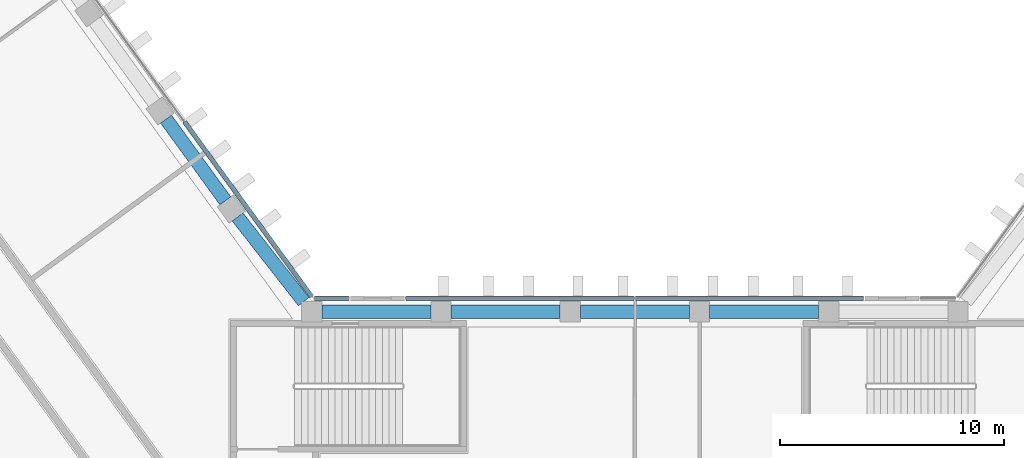
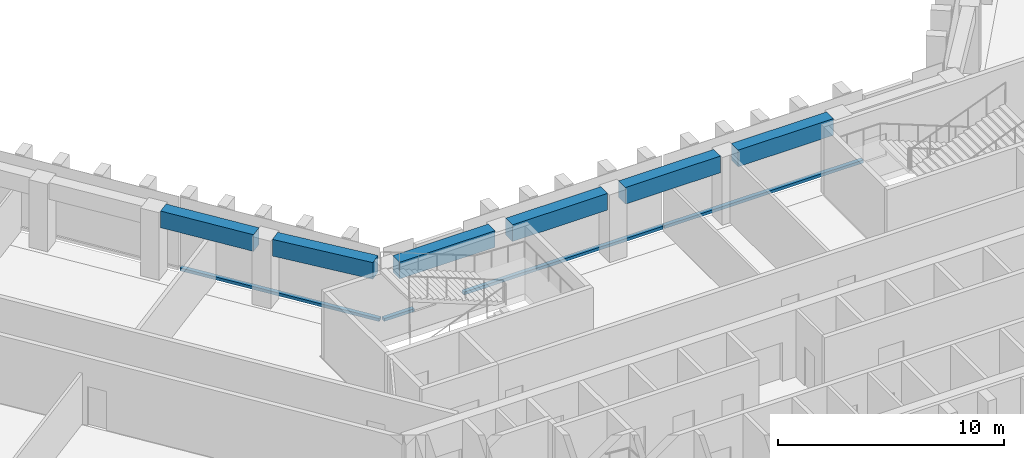
"""IFC4 building model written with IfcOpenShell, lengths in metres."""

from ifc_helpers import new_model, si_unit, direction, frame, origin, origin_2d, place, context, subcontext, project, spatial, rectangle, extrude, material, material_profile, profile_set, type_object, element, aggregate, save


model = new_model("IFC4")

# Units and contexts
model_context = context("Model", 3, precision=1e-05, world=origin(), true_north=direction((0.0, 1.0)))
body_context = subcontext(model_context, "Body", "Model", "MODEL_VIEW")
ifc_project = project(units=[si_unit("LENGTHUNIT", "METRE"), si_unit("AREAUNIT", "SQUARE_METRE"), si_unit("VOLUMEUNIT", "CUBIC_METRE"), si_unit("PLANEANGLEUNIT", "RADIAN"), si_unit("MASSUNIT", "GRAM", prefix="KILO")], contexts=[model_context])

# Site, building, storey
site_placement = place(None, origin())
site = spatial("IfcSite", under=ifc_project, at=site_placement, CompositionType="ELEMENT")
building_placement = place(site_placement, origin())
building = spatial("IfcBuilding", under=site, at=building_placement, Name="Quipu Civic Tower", CompositionType="ELEMENT")
storey_1_placement = place(building_placement, frame((0.0, 0.0, 31.0)))
storey_1 = spatial("IfcBuildingStorey", under=building, at=storey_1_placement, Name="L06", CompositionType="ELEMENT", Elevation=31.0)

# Beams
ifc_material_1 = material(Name="Concrete C50/60", Category="concrete")
ifc_material_profile_1 = material_profile(ifc_material_1, rectangle(XDim=0.60009765625, YDim=0.89990234375, at=origin_2d()), Name="RC600x900")
ifc_profile_set_1 = profile_set([ifc_material_profile_1], Name="Concrete C50/60")
beam_type = type_object("IfcBeamType", Name="Spandrel beam RC 600x900 C50/60", PredefinedType="SPANDREL", material=ifc_profile_set_1)
beam_1_placement = place(storey_1_placement, frame((-18.238037109375, 15.43896484375, 3.199951171875), z_axis=(-0.587716763865, 0.809066749701, 0.0), x_axis=(-0.809066749701, -0.587716763865, 0.0)))
element("IfcBeam", 1, at=beam_1_placement, inside=storey_1, type_object=beam_type, Name="Spandrel beam L06 W-IN-01 to W-IN-02", PredefinedType="SPANDREL", context=body_context, shape_type="SweptSolid", body=[
    extrude(rectangle(XDim=0.60009765625, YDim=0.89990234375, at=origin_2d()), origin(), (0.0, 0.0, 1.0), 4.5),
])
for number, where, z_axis, x_axis, name in (
    (2, (8.18701171875, 10.5, 3.199951171875), (-1.0, 0.0, 0.0), (0.0, -1.0, 0.0), "Spandrel beam L06 FRONT-01 to FRONT-02"),
    (3, (2.428955078125, 10.5, 3.199951171875), (-1.0, 0.0, 0.0), (0.0, -1.0, 0.0), "Spandrel beam L06 FRONT-02 to FRONT-03"),
    (4, (-3.3291015625, 10.5, 3.199951171875), (-1.0, 0.0, 0.0), (0.0, -1.0, 0.0), "Spandrel beam L06 FRONT-03 to FRONT-04"),
):
    element("IfcBeam", number, at=place(storey_1_placement, frame(where, z_axis=z_axis, x_axis=x_axis)), inside=storey_1, type_object=beam_type, Name=name, PredefinedType="SPANDREL", context=body_context, shape_type="SweptSolid", body=[
        extrude(rectangle(XDim=0.60009765625, YDim=0.89990234375, at=origin_2d()), origin(), (0.0, 0.0, 1.0), 4.85791015625),
    ])
beam_2_placement = place(storey_1_placement, frame((-9.087158203125, 10.5, 3.199951171875), z_axis=(-1.0, 0.0, 0.0), x_axis=(0.0, -1.0, 0.0)))
element("IfcBeam", 5, at=beam_2_placement, inside=storey_1, type_object=beam_type, Name="Spandrel beam L06 FRONT-04 to J-Wi.0", PredefinedType="SPANDREL", context=body_context, shape_type="SweptSolid", body=[
    extrude(rectangle(XDim=0.60009765625, YDim=0.89990234375, at=origin_2d()), origin(), (0.0, 0.0, 1.0), 4.858154296875),
])
beam_3_placement = place(storey_1_placement, frame((-14.7470703125, 10.949951171875, 3.199951171875), z_axis=(-0.616123961998, 0.787649200756, 0.0), x_axis=(-0.787649200756, -0.616123961998, 0.0)))
element("IfcBeam", 6, at=beam_3_placement, inside=storey_1, type_object=beam_type, Name="Spandrel beam L06 J-Wi.0 to W-IN-01", PredefinedType="SPANDREL", context=body_context, shape_type="SweptSolid", body=[
    extrude(rectangle(XDim=0.60009765625, YDim=0.89990234375, at=origin_2d()), origin(), (0.0, 0.0, 1.0), 4.78662109375),
])

# Storey
storey_2_placement = place(building_placement, frame((0.0, 0.0, 35.0)))
storey_2 = spatial("IfcBuildingStorey", under=building, at=storey_2_placement, Name="L07", CompositionType="ELEMENT", Elevation=35.0)

# Curtain wall, members
ifc_material_2 = material(Name="Insulated glass unit", Category="glass")
curtain_wall_type = type_object("IfcCurtainWallType", Name="Office curtain wall CW1", PredefinedType="NOTDEFINED", material=ifc_material_2)
curtain_wall_1_placement = place(storey_2_placement, origin())
curtain_wall_1 = element("IfcCurtainWall", 7, at=curtain_wall_1_placement, inside=storey_2, type_object=curtain_wall_type, Name="Office curtain wall CW1 L06 run 29", PredefinedType="NOTDEFINED")
ifc_material_3 = material(Name="Anodised aluminium", Category="aluminium")
ifc_material_profile_2 = material_profile(ifc_material_3, rectangle(XDim=0.199951171875, YDim=0.159912109375, at=origin_2d()), Name="RECT 200x160")
ifc_profile_set_2 = profile_set([ifc_material_profile_2], Name="Anodised aluminium")
member_type = type_object("IfcMemberType", Name="Transom CW1", PredefinedType="USERDEFINED", material=ifc_profile_set_2)
member_1_placement = place(storey_1_placement, frame((10.18359375, 11.10009765625, 0.159912109375), z_axis=(-1.0, 0.0, 0.0), x_axis=(0.0, -1.0, 0.0)))
member_1 = element("IfcMember", 8, at=member_1_placement, inside=storey_1, type_object=member_type, Name="CW1 transom 1.1", ObjectType="TRANSOM", PredefinedType="USERDEFINED", context=body_context, shape_type="SweptSolid", body=[
    extrude(rectangle(XDim=0.199951171875, YDim=0.159912109375, at=origin_2d()), origin(), (0.0, 0.0, 1.0), 10.1435546875),
])
member_2_placement = place(storey_1_placement, frame((-0.0400390625, 11.10009765625, 0.159912109375), z_axis=(-1.0, 0.0, 0.0), x_axis=(0.0, -1.0, 0.0)))
member_2 = element("IfcMember", 9, at=member_2_placement, inside=storey_1, type_object=member_type, Name="CW1 transom 2.1", ObjectType="TRANSOM", PredefinedType="USERDEFINED", context=body_context, shape_type="SweptSolid", body=[
    extrude(rectangle(XDim=0.199951171875, YDim=0.159912109375, at=origin_2d()), origin(), (0.0, 0.0, 1.0), 10.1435546875),
])
aggregate(curtain_wall_1, [member_1, member_2])

# Curtain wall, member
curtain_wall_2_placement = place(storey_2_placement, origin())
curtain_wall_2 = element("IfcCurtainWall", 10, at=curtain_wall_2_placement, inside=storey_2, type_object=curtain_wall_type, Name="Office curtain wall CW1 L06 run 31", PredefinedType="NOTDEFINED")
member_3_placement = place(storey_1_placement, frame((-12.735107421875, 11.10009765625, 0.159912109375), z_axis=(-1.0, 0.0, 0.0), x_axis=(0.0, -1.0, 0.0)))
member_3 = element("IfcMember", 11, at=member_3_placement, inside=storey_1, type_object=member_type, Name="CW1 transom 1.1", ObjectType="TRANSOM", PredefinedType="USERDEFINED", context=body_context, shape_type="SweptSolid", body=[
    extrude(rectangle(XDim=0.199951171875, YDim=0.159912109375, at=origin_2d()), origin(), (0.0, 0.0, 1.0), 1.529052734375),
])
aggregate(curtain_wall_2, [member_3])

curtain_wall_3_placement = place(storey_2_placement, origin())
curtain_wall_3 = element("IfcCurtainWall", 12, at=curtain_wall_3_placement, inside=storey_2, type_object=curtain_wall_type, Name="Office curtain wall CW1 L06 run 32", PredefinedType="NOTDEFINED")
member_4_placement = place(storey_1_placement, frame((-14.39111328125, 11.164794921875, 0.159912109375), z_axis=(-0.58779220199, 0.809011945079, 0.0), x_axis=(-0.809011945079, -0.58779220199, 0.0)))
member_4 = element("IfcMember", 13, at=member_4_placement, inside=storey_1, type_object=member_type, Name="CW1 transom 1.1", ObjectType="TRANSOM", PredefinedType="USERDEFINED", context=body_context, shape_type="SweptSolid", body=[
    extrude(rectangle(XDim=0.199951171875, YDim=0.159912109375, at=origin_2d()), origin(), (0.0, 0.0, 1.0), 9.64111328125),
])
aggregate(curtain_wall_3, [member_4])

save(model, "model.ifc")
